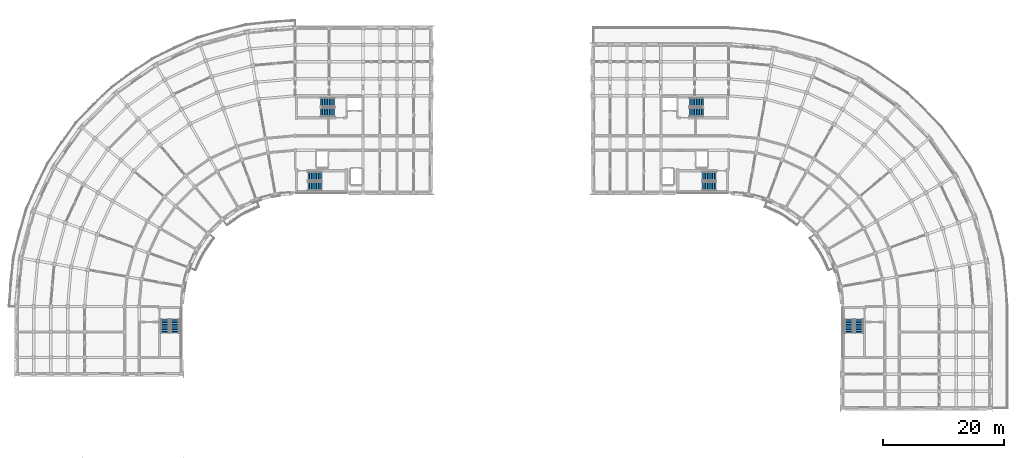
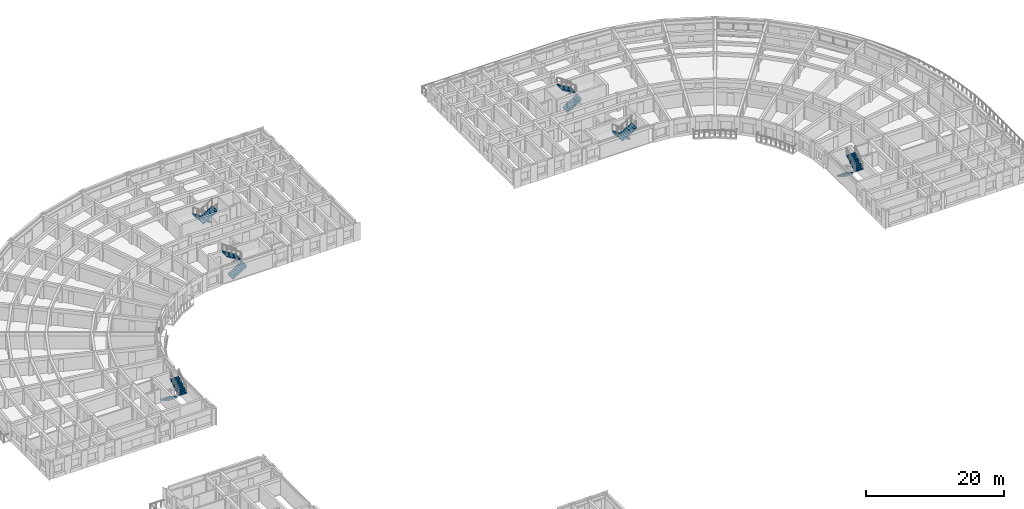
# One storey, part 35 of 53: 12 stair flights, 6 elements without a shape of their own.
"""IFC4 building model written with IfcOpenShell, lengths in metres."""

from ifc_helpers import new_model, si_unit, direction, frame, origin, place, context, subcontext, project, spatial, polyline, outline, extrude, material, type_object, element, aggregate, save


model = new_model("IFC4")

# Units and contexts
model_context = context("Model", 3, precision=1e-05, world=origin(), true_north=direction((0.0, 1.0)))
body_context = subcontext(model_context, "Body", "Model", "MODEL_VIEW")
ifc_project = project(units=[si_unit("LENGTHUNIT", "METRE"), si_unit("AREAUNIT", "SQUARE_METRE"), si_unit("VOLUMEUNIT", "CUBIC_METRE"), si_unit("PLANEANGLEUNIT", "RADIAN"), si_unit("MASSUNIT", "GRAM", prefix="KILO")], contexts=[model_context])

# Site, building, storey
site_placement = place(None, origin())
site = spatial("IfcSite", under=ifc_project, at=site_placement, CompositionType="ELEMENT")
building_placement = place(site_placement, origin())
building = spatial("IfcBuilding", under=site, at=building_placement, Name="Kiranvali Square Residences", CompositionType="ELEMENT")
storey_placement = place(building_placement, frame((0.0, 0.0, 30.75)))
storey = spatial("IfcBuildingStorey", under=building, at=storey_placement, Name="L09", CompositionType="ELEMENT", Elevation=30.75)

# Stair, stair flights
ifc_material = material(Name="Concrete M35 (35 MPa)", Category="concrete")
stair_type = type_object("IfcStairType", Name="ST-CORE-1700", PredefinedType="HALF_TURN_STAIR", material=ifc_material)
stair_1_placement = place(storey_placement, origin())
stair_1 = element("IfcStair", 1, at=stair_1_placement, inside=storey, type_object=stair_type, Name="L09 Block A Firefighting Exit Stair 1", PredefinedType="HALF_TURN_STAIR")
stair_flight_type = type_object("IfcStairFlightType", Name="STF-1700", PredefinedType="STRAIGHT", material=ifc_material)
stair_flight_1_placement = place(storey_placement, frame((54.699951171875, 121.52490234375, 0.0), z_axis=(0.0, 0.0, 1.0), x_axis=(-1.0, 0.0, 0.0)))
stair_flight_1 = element("IfcStairFlight", 2, at=stair_flight_1_placement, type_object=stair_flight_type, Name="ST-A1 flight 1", NumberOfRisers=9, NumberOfTreads=8, PredefinedType="STRAIGHT", RiserHeight=0.175, TreadLength=0.285, context=body_context, shape_type="SweptSolid", body=[
    extrude(outline(polyline([(-0.02001953125, -0.14990234375), (-0.02001953125, 0.0), (0.0, 0.0), (0.0, 0.175048828125), (0.284912109375, 0.175048828125), (0.284912109375, 0.35009765625), (0.570068359375, 0.35009765625), (0.570068359375, 0.52490234375), (0.85498046875, 0.52490234375), (0.85498046875, 0.699951171875), (1.139892578125, 0.699951171875), (1.139892578125, 0.875), (1.425048828125, 0.875), (1.425048828125, 1.050048828125), (1.7099609375, 1.050048828125), (1.7099609375, 1.22509765625), (1.9951171875, 1.22509765625), (1.9951171875, 1.39990234375), (2.280029296875, 1.39990234375), (2.280029296875, 1.574951171875), (2.300048828125, 1.574951171875), (2.300048828125, 1.22412109375), (2.280029296875, 1.22412109375), (0.0, -0.14990234375), (-0.02001953125, -0.14990234375)])), frame((0.0, 0.72509765625, 0.0), z_axis=(0.0, -1.0, 0.0), x_axis=(1.0, 0.0, 0.0)), (0.0, 0.0, 1.0), 1.449951171875),
])
stair_flight_2_placement = place(storey_placement, frame((52.419921875, 119.875, 1.574951171875), z_axis=(0.0, 0.0, 1.0), x_axis=(1.0, 0.0, 0.0)))
stair_flight_2 = element("IfcStairFlight", 3, at=stair_flight_2_placement, type_object=stair_flight_type, Name="ST-A1 flight 2", NumberOfRisers=9, NumberOfTreads=8, PredefinedType="STRAIGHT", RiserHeight=0.175, TreadLength=0.285, context=body_context, shape_type="SweptSolid", body=[
    extrude(outline(polyline([(-0.02001953125, -0.14990234375), (-0.02001953125, 0.0), (0.0, 0.0), (0.0, 0.175048828125), (0.284912109375, 0.175048828125), (0.284912109375, 0.35009765625), (0.570068359375, 0.35009765625), (0.570068359375, 0.52490234375), (0.85498046875, 0.52490234375), (0.85498046875, 0.699951171875), (1.139892578125, 0.699951171875), (1.139892578125, 0.875), (1.425048828125, 0.875), (1.425048828125, 1.050048828125), (1.7099609375, 1.050048828125), (1.7099609375, 1.22509765625), (1.9951171875, 1.22509765625), (1.9951171875, 1.39990234375), (2.280029296875, 1.39990234375), (2.280029296875, 1.574951171875), (2.300048828125, 1.574951171875), (2.300048828125, 1.22412109375), (2.280029296875, 1.22412109375), (0.0, -0.14990234375), (-0.02001953125, -0.14990234375)])), frame((0.0, 0.72509765625, 0.0), z_axis=(0.0, -1.0, 0.0), x_axis=(1.0, 0.0, 0.0)), (0.0, 0.0, 1.0), 1.449951171875),
])
aggregate(stair_1, [stair_flight_1, stair_flight_2])

stair_2_placement = place(storey_placement, origin())
stair_2 = element("IfcStair", 4, at=stair_2_placement, inside=storey, type_object=stair_type, Name="L09 Block A Protected Exit Stair 2", PredefinedType="HALF_TURN_STAIR")
stair_flight_3_placement = place(storey_placement, frame((50.300048828125, 107.675048828125, 0.0), z_axis=(0.0, 0.0, 1.0), x_axis=(1.0, 0.0, 0.0)))
stair_flight_3 = element("IfcStairFlight", 5, at=stair_flight_3_placement, type_object=stair_flight_type, Name="ST-A2 flight 1", NumberOfRisers=9, NumberOfTreads=8, PredefinedType="STRAIGHT", RiserHeight=0.175, TreadLength=0.285, context=body_context, shape_type="SweptSolid", body=[
    extrude(outline(polyline([(-0.02001953125, -0.14990234375), (-0.02001953125, 0.0), (0.0, 0.0), (0.0, 0.175048828125), (0.284912109375, 0.175048828125), (0.284912109375, 0.35009765625), (0.570068359375, 0.35009765625), (0.570068359375, 0.52490234375), (0.85498046875, 0.52490234375), (0.85498046875, 0.699951171875), (1.139892578125, 0.699951171875), (1.139892578125, 0.875), (1.425048828125, 0.875), (1.425048828125, 1.050048828125), (1.7099609375, 1.050048828125), (1.7099609375, 1.22509765625), (1.9951171875, 1.22509765625), (1.9951171875, 1.39990234375), (2.280029296875, 1.39990234375), (2.280029296875, 1.574951171875), (2.300048828125, 1.574951171875), (2.300048828125, 1.22412109375), (2.280029296875, 1.22412109375), (0.0, -0.14990234375), (-0.02001953125, -0.14990234375)])), frame((0.0, 0.72509765625, 0.0), z_axis=(0.0, -1.0, 0.0), x_axis=(1.0, 0.0, 0.0)), (0.0, 0.0, 1.0), 1.449951171875),
])
stair_flight_4_placement = place(storey_placement, frame((52.580078125, 109.324951171875, 1.574951171875), z_axis=(0.0, 0.0, 1.0), x_axis=(-1.0, 0.0, 0.0)))
stair_flight_4 = element("IfcStairFlight", 6, at=stair_flight_4_placement, type_object=stair_flight_type, Name="ST-A2 flight 2", NumberOfRisers=9, NumberOfTreads=8, PredefinedType="STRAIGHT", RiserHeight=0.175, TreadLength=0.285, context=body_context, shape_type="SweptSolid", body=[
    extrude(outline(polyline([(-0.02001953125, -0.14990234375), (-0.02001953125, 0.0), (0.0, 0.0), (0.0, 0.175048828125), (0.284912109375, 0.175048828125), (0.284912109375, 0.35009765625), (0.570068359375, 0.35009765625), (0.570068359375, 0.52490234375), (0.85498046875, 0.52490234375), (0.85498046875, 0.699951171875), (1.139892578125, 0.699951171875), (1.139892578125, 0.875), (1.425048828125, 0.875), (1.425048828125, 1.050048828125), (1.7099609375, 1.050048828125), (1.7099609375, 1.22509765625), (1.9951171875, 1.22509765625), (1.9951171875, 1.39990234375), (2.280029296875, 1.39990234375), (2.280029296875, 1.574951171875), (2.300048828125, 1.574951171875), (2.300048828125, 1.22412109375), (2.280029296875, 1.22412109375), (0.0, -0.14990234375), (-0.02001953125, -0.14990234375)])), frame((0.0, 0.72509765625, 0.0), z_axis=(0.0, -1.0, 0.0), x_axis=(1.0, 0.0, 0.0)), (0.0, 0.0, 1.0), 1.449951171875),
])
aggregate(stair_2, [stair_flight_3, stair_flight_4])

stair_3_placement = place(storey_placement, origin())
stair_3 = element("IfcStair", 7, at=stair_3_placement, inside=storey, type_object=stair_type, Name="L09 Block A Wing Protected Exit Stair 3", PredefinedType="HALF_TURN_STAIR")
stair_flight_5_placement = place(storey_placement, frame((26.675048828125, 85.699951171875, 0.0), z_axis=(0.0, 0.0, 1.0), x_axis=(0.0, -1.0, 0.0)))
stair_flight_5 = element("IfcStairFlight", 8, at=stair_flight_5_placement, type_object=stair_flight_type, Name="ST-A3 flight 1", NumberOfRisers=9, NumberOfTreads=8, PredefinedType="STRAIGHT", RiserHeight=0.175, TreadLength=0.285, context=body_context, shape_type="SweptSolid", body=[
    extrude(outline(polyline([(-0.02001953125, -0.14990234375), (-0.02001953125, 0.0), (0.0, 0.0), (0.0, 0.175048828125), (0.284912109375, 0.175048828125), (0.284912109375, 0.35009765625), (0.570068359375, 0.35009765625), (0.570068359375, 0.52490234375), (0.85498046875, 0.52490234375), (0.85498046875, 0.699951171875), (1.139892578125, 0.699951171875), (1.139892578125, 0.875), (1.425048828125, 0.875), (1.425048828125, 1.050048828125), (1.7099609375, 1.050048828125), (1.7099609375, 1.22509765625), (1.9951171875, 1.22509765625), (1.9951171875, 1.39990234375), (2.280029296875, 1.39990234375), (2.280029296875, 1.574951171875), (2.300048828125, 1.574951171875), (2.300048828125, 1.22412109375), (2.280029296875, 1.22412109375), (0.0, -0.14990234375), (-0.02001953125, -0.14990234375)])), frame((0.0, 0.72509765625, 0.0), z_axis=(0.0, -1.0, 0.0), x_axis=(1.0, 0.0, 0.0)), (0.0, 0.0, 1.0), 1.449951171875),
])
stair_flight_6_placement = place(storey_placement, frame((28.324951171875, 83.419921875, 1.574951171875), z_axis=(0.0, 0.0, 1.0), x_axis=(0.0, 1.0, 0.0)))
stair_flight_6 = element("IfcStairFlight", 9, at=stair_flight_6_placement, type_object=stair_flight_type, Name="ST-A3 flight 2", NumberOfRisers=9, NumberOfTreads=8, PredefinedType="STRAIGHT", RiserHeight=0.175, TreadLength=0.285, context=body_context, shape_type="SweptSolid", body=[
    extrude(outline(polyline([(-0.02001953125, -0.14990234375), (-0.02001953125, 0.0), (0.0, 0.0), (0.0, 0.175048828125), (0.284912109375, 0.175048828125), (0.284912109375, 0.35009765625), (0.570068359375, 0.35009765625), (0.570068359375, 0.52490234375), (0.85498046875, 0.52490234375), (0.85498046875, 0.699951171875), (1.139892578125, 0.699951171875), (1.139892578125, 0.875), (1.425048828125, 0.875), (1.425048828125, 1.050048828125), (1.7099609375, 1.050048828125), (1.7099609375, 1.22509765625), (1.9951171875, 1.22509765625), (1.9951171875, 1.39990234375), (2.280029296875, 1.39990234375), (2.280029296875, 1.574951171875), (2.300048828125, 1.574951171875), (2.300048828125, 1.22412109375), (2.280029296875, 1.22412109375), (0.0, -0.14990234375), (-0.02001953125, -0.14990234375)])), frame((0.0, 0.72509765625, 0.0), z_axis=(0.0, -1.0, 0.0), x_axis=(1.0, 0.0, 0.0)), (0.0, 0.0, 1.0), 1.449951171875),
])
aggregate(stair_3, [stair_flight_5, stair_flight_6])

stair_4_placement = place(storey_placement, origin())
stair_4 = element("IfcStair", 10, at=stair_4_placement, inside=storey, type_object=stair_type, Name="L09 Block B Firefighting Exit Stair 1", PredefinedType="HALF_TURN_STAIR")
stair_flight_7_placement = place(storey_placement, frame((113.300048828125, 119.875, 0.0), z_axis=(0.0, 0.0, 1.0), x_axis=(1.0, 0.0, 0.0)))
stair_flight_7 = element("IfcStairFlight", 11, at=stair_flight_7_placement, type_object=stair_flight_type, Name="ST-B1 flight 1", NumberOfRisers=9, NumberOfTreads=8, PredefinedType="STRAIGHT", RiserHeight=0.175, TreadLength=0.285, context=body_context, shape_type="SweptSolid", body=[
    extrude(outline(polyline([(-0.02001953125, -0.14990234375), (-0.02001953125, 0.0), (0.0, 0.0), (0.0, 0.175048828125), (0.284912109375, 0.175048828125), (0.284912109375, 0.35009765625), (0.570068359375, 0.35009765625), (0.570068359375, 0.52490234375), (0.85498046875, 0.52490234375), (0.85498046875, 0.699951171875), (1.139892578125, 0.699951171875), (1.139892578125, 0.875), (1.425048828125, 0.875), (1.425048828125, 1.050048828125), (1.7099609375, 1.050048828125), (1.7099609375, 1.22509765625), (1.9951171875, 1.22509765625), (1.9951171875, 1.39990234375), (2.280029296875, 1.39990234375), (2.280029296875, 1.574951171875), (2.300048828125, 1.574951171875), (2.300048828125, 1.22412109375), (2.280029296875, 1.22412109375), (0.0, -0.14990234375), (-0.02001953125, -0.14990234375)])), frame((0.0, 0.72509765625, 0.0), z_axis=(0.0, -1.0, 0.0), x_axis=(1.0, 0.0, 0.0)), (0.0, 0.0, 1.0), 1.449951171875),
])
stair_flight_8_placement = place(storey_placement, frame((115.580078125, 121.52490234375, 1.574951171875), z_axis=(0.0, 0.0, 1.0), x_axis=(-1.0, 0.0, 0.0)))
stair_flight_8 = element("IfcStairFlight", 12, at=stair_flight_8_placement, type_object=stair_flight_type, Name="ST-B1 flight 2", NumberOfRisers=9, NumberOfTreads=8, PredefinedType="STRAIGHT", RiserHeight=0.175, TreadLength=0.285, context=body_context, shape_type="SweptSolid", body=[
    extrude(outline(polyline([(-0.02001953125, -0.14990234375), (-0.02001953125, 0.0), (0.0, 0.0), (0.0, 0.175048828125), (0.284912109375, 0.175048828125), (0.284912109375, 0.35009765625), (0.570068359375, 0.35009765625), (0.570068359375, 0.52490234375), (0.85498046875, 0.52490234375), (0.85498046875, 0.699951171875), (1.139892578125, 0.699951171875), (1.139892578125, 0.875), (1.425048828125, 0.875), (1.425048828125, 1.050048828125), (1.7099609375, 1.050048828125), (1.7099609375, 1.22509765625), (1.9951171875, 1.22509765625), (1.9951171875, 1.39990234375), (2.280029296875, 1.39990234375), (2.280029296875, 1.574951171875), (2.300048828125, 1.574951171875), (2.300048828125, 1.22412109375), (2.280029296875, 1.22412109375), (0.0, -0.14990234375), (-0.02001953125, -0.14990234375)])), frame((0.0, 0.72509765625, 0.0), z_axis=(0.0, -1.0, 0.0), x_axis=(1.0, 0.0, 0.0)), (0.0, 0.0, 1.0), 1.449951171875),
])
aggregate(stair_4, [stair_flight_7, stair_flight_8])

stair_5_placement = place(storey_placement, origin())
stair_5 = element("IfcStair", 13, at=stair_5_placement, inside=storey, type_object=stair_type, Name="L09 Block B Protected Exit Stair 2", PredefinedType="HALF_TURN_STAIR")
stair_flight_9_placement = place(storey_placement, frame((117.699951171875, 109.324951171875, 0.0), z_axis=(0.0, 0.0, 1.0), x_axis=(-1.0, 0.0, 0.0)))
stair_flight_9 = element("IfcStairFlight", 14, at=stair_flight_9_placement, type_object=stair_flight_type, Name="ST-B2 flight 1", NumberOfRisers=9, NumberOfTreads=8, PredefinedType="STRAIGHT", RiserHeight=0.175, TreadLength=0.285, context=body_context, shape_type="SweptSolid", body=[
    extrude(outline(polyline([(-0.02001953125, -0.14990234375), (-0.02001953125, 0.0), (0.0, 0.0), (0.0, 0.175048828125), (0.284912109375, 0.175048828125), (0.284912109375, 0.35009765625), (0.570068359375, 0.35009765625), (0.570068359375, 0.52490234375), (0.85498046875, 0.52490234375), (0.85498046875, 0.699951171875), (1.139892578125, 0.699951171875), (1.139892578125, 0.875), (1.425048828125, 0.875), (1.425048828125, 1.050048828125), (1.7099609375, 1.050048828125), (1.7099609375, 1.22509765625), (1.9951171875, 1.22509765625), (1.9951171875, 1.39990234375), (2.280029296875, 1.39990234375), (2.280029296875, 1.574951171875), (2.300048828125, 1.574951171875), (2.300048828125, 1.22412109375), (2.280029296875, 1.22412109375), (0.0, -0.14990234375), (-0.02001953125, -0.14990234375)])), frame((0.0, 0.72509765625, 0.0), z_axis=(0.0, -1.0, 0.0), x_axis=(1.0, 0.0, 0.0)), (0.0, 0.0, 1.0), 1.449951171875),
])
stair_flight_10_placement = place(storey_placement, frame((115.419921875, 107.675048828125, 1.574951171875), z_axis=(0.0, 0.0, 1.0), x_axis=(1.0, 0.0, 0.0)))
stair_flight_10 = element("IfcStairFlight", 15, at=stair_flight_10_placement, type_object=stair_flight_type, Name="ST-B2 flight 2", NumberOfRisers=9, NumberOfTreads=8, PredefinedType="STRAIGHT", RiserHeight=0.175, TreadLength=0.285, context=body_context, shape_type="SweptSolid", body=[
    extrude(outline(polyline([(-0.02001953125, -0.14990234375), (-0.02001953125, 0.0), (0.0, 0.0), (0.0, 0.175048828125), (0.284912109375, 0.175048828125), (0.284912109375, 0.35009765625), (0.570068359375, 0.35009765625), (0.570068359375, 0.52490234375), (0.85498046875, 0.52490234375), (0.85498046875, 0.699951171875), (1.139892578125, 0.699951171875), (1.139892578125, 0.875), (1.425048828125, 0.875), (1.425048828125, 1.050048828125), (1.7099609375, 1.050048828125), (1.7099609375, 1.22509765625), (1.9951171875, 1.22509765625), (1.9951171875, 1.39990234375), (2.280029296875, 1.39990234375), (2.280029296875, 1.574951171875), (2.300048828125, 1.574951171875), (2.300048828125, 1.22412109375), (2.280029296875, 1.22412109375), (0.0, -0.14990234375), (-0.02001953125, -0.14990234375)])), frame((0.0, 0.72509765625, 0.0), z_axis=(0.0, -1.0, 0.0), x_axis=(1.0, 0.0, 0.0)), (0.0, 0.0, 1.0), 1.449951171875),
])
aggregate(stair_5, [stair_flight_9, stair_flight_10])

stair_6_placement = place(storey_placement, origin())
stair_6 = element("IfcStair", 16, at=stair_6_placement, inside=storey, type_object=stair_type, Name="L09 Block B Wing Protected Exit Stair 3", PredefinedType="HALF_TURN_STAIR")
stair_flight_11_placement = place(storey_placement, frame((139.675048828125, 85.699951171875, 0.0), z_axis=(0.0, 0.0, 1.0), x_axis=(0.0, -1.0, 0.0)))
stair_flight_11 = element("IfcStairFlight", 17, at=stair_flight_11_placement, type_object=stair_flight_type, Name="ST-B3 flight 1", NumberOfRisers=9, NumberOfTreads=8, PredefinedType="STRAIGHT", RiserHeight=0.175, TreadLength=0.285, context=body_context, shape_type="SweptSolid", body=[
    extrude(outline(polyline([(-0.02001953125, -0.14990234375), (-0.02001953125, 0.0), (0.0, 0.0), (0.0, 0.175048828125), (0.284912109375, 0.175048828125), (0.284912109375, 0.35009765625), (0.570068359375, 0.35009765625), (0.570068359375, 0.52490234375), (0.85498046875, 0.52490234375), (0.85498046875, 0.699951171875), (1.139892578125, 0.699951171875), (1.139892578125, 0.875), (1.425048828125, 0.875), (1.425048828125, 1.050048828125), (1.7099609375, 1.050048828125), (1.7099609375, 1.22509765625), (1.9951171875, 1.22509765625), (1.9951171875, 1.39990234375), (2.280029296875, 1.39990234375), (2.280029296875, 1.574951171875), (2.300048828125, 1.574951171875), (2.300048828125, 1.22412109375), (2.280029296875, 1.22412109375), (0.0, -0.14990234375), (-0.02001953125, -0.14990234375)])), frame((0.0, 0.72509765625, 0.0), z_axis=(0.0, -1.0, 0.0), x_axis=(1.0, 0.0, 0.0)), (0.0, 0.0, 1.0), 1.449951171875),
])
stair_flight_12_placement = place(storey_placement, frame((141.324951171875, 83.419921875, 1.574951171875), z_axis=(0.0, 0.0, 1.0), x_axis=(0.0, 1.0, 0.0)))
stair_flight_12 = element("IfcStairFlight", 18, at=stair_flight_12_placement, type_object=stair_flight_type, Name="ST-B3 flight 2", NumberOfRisers=9, NumberOfTreads=8, PredefinedType="STRAIGHT", RiserHeight=0.175, TreadLength=0.285, context=body_context, shape_type="SweptSolid", body=[
    extrude(outline(polyline([(-0.02001953125, -0.14990234375), (-0.02001953125, 0.0), (0.0, 0.0), (0.0, 0.175048828125), (0.284912109375, 0.175048828125), (0.284912109375, 0.35009765625), (0.570068359375, 0.35009765625), (0.570068359375, 0.52490234375), (0.85498046875, 0.52490234375), (0.85498046875, 0.699951171875), (1.139892578125, 0.699951171875), (1.139892578125, 0.875), (1.425048828125, 0.875), (1.425048828125, 1.050048828125), (1.7099609375, 1.050048828125), (1.7099609375, 1.22509765625), (1.9951171875, 1.22509765625), (1.9951171875, 1.39990234375), (2.280029296875, 1.39990234375), (2.280029296875, 1.574951171875), (2.300048828125, 1.574951171875), (2.300048828125, 1.22412109375), (2.280029296875, 1.22412109375), (0.0, -0.14990234375), (-0.02001953125, -0.14990234375)])), frame((0.0, 0.72509765625, 0.0), z_axis=(0.0, -1.0, 0.0), x_axis=(1.0, 0.0, 0.0)), (0.0, 0.0, 1.0), 1.449951171875),
])
aggregate(stair_6, [stair_flight_11, stair_flight_12])

save(model, "model.ifc")
